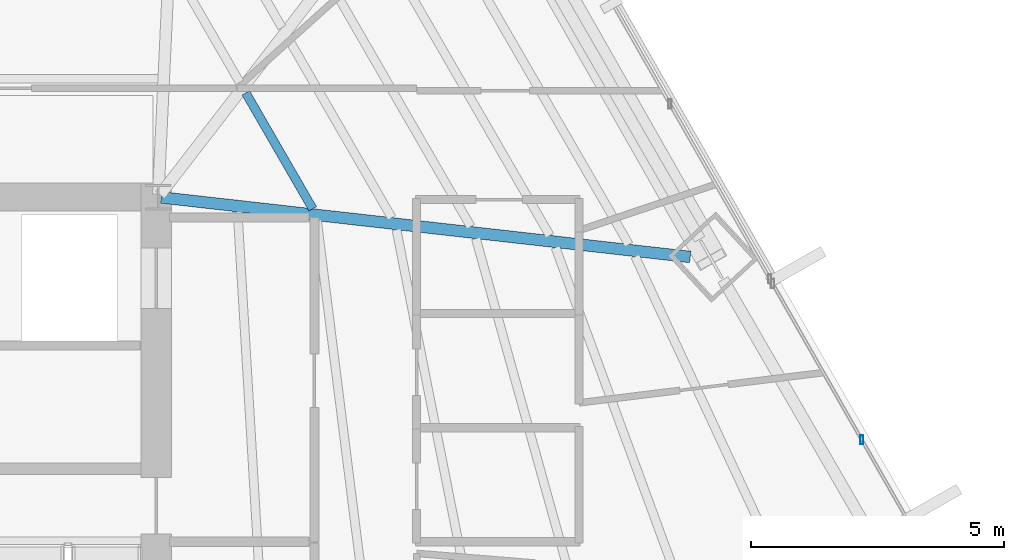
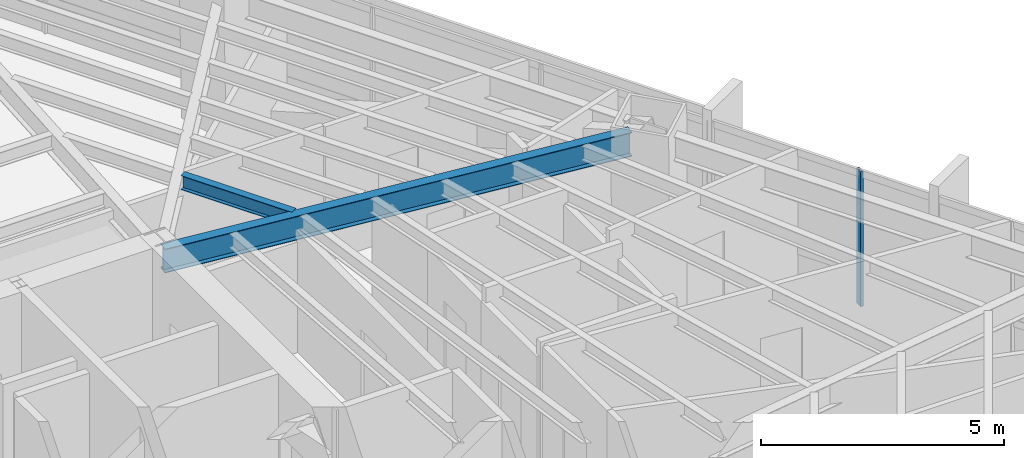
# One storey, part 22 of 38: 2 beams, 1 member, 1 element without a shape of its own.
"""IFC4 building model written with IfcOpenShell, lengths in metres."""

from ifc_helpers import new_model, si_unit, direction, frame, origin, origin_2d, place, context, subcontext, project, spatial, hollow_rectangle, i_section, extrude, source, transform, mapped, material, material_profile, profile_set, type_object, type_shapes, element, aggregate, save


model = new_model("IFC4")

# Units and contexts
model_context = context("Model", 3, precision=1e-05, world=origin(), true_north=direction((0.0, 1.0)))
body_context = subcontext(model_context, "Body", "Model", "MODEL_VIEW")
ifc_project = project(units=[si_unit("LENGTHUNIT", "METRE"), si_unit("AREAUNIT", "SQUARE_METRE"), si_unit("VOLUMEUNIT", "CUBIC_METRE"), si_unit("PLANEANGLEUNIT", "RADIAN"), si_unit("MASSUNIT", "GRAM", prefix="KILO")], contexts=[model_context])

# Site, building, storey
site_placement = place(None, origin())
site = spatial("IfcSite", under=ifc_project, at=site_placement, CompositionType="ELEMENT")
building_placement = place(site_placement, origin())
building = spatial("IfcBuilding", under=site, at=building_placement, Name="Caelisora Broadcast Tower", CompositionType="ELEMENT")
storey_placement = place(building_placement, frame((0.0, 0.0, 67.75)))
storey = spatial("IfcBuildingStorey", under=building, at=storey_placement, Name="L17", CompositionType="ELEMENT", Elevation=67.75)

# Beams
ifc_material_1 = material(Name="Steel Grade 350 (AS/NZS 3679.1)", Category="steel")
ifc_material_profile_1 = material_profile(ifc_material_1, i_section(OverallWidth=0.22802734375, OverallDepth=0.602294921875, WebThickness=0.010498046875, FlangeThickness=0.014892578125, at=origin_2d()), Name="Steel Grade 350 (AS/NZS 3679.1)")
ifc_profile_set_1 = profile_set([ifc_material_profile_1], Name="Steel Grade 350 (AS/NZS 3679.1)")
beam_type_1 = type_object("IfcBeamType", Name="PG04", PredefinedType="BEAM", material=ifc_profile_set_1)
shared_shape_1 = source(origin(), body_context, "Body", "SweptSolid", [
    extrude(i_section(OverallWidth=0.22802734375, OverallDepth=0.602294921875, WebThickness=0.010498046875, FlangeThickness=0.014892578125, at=origin_2d()), origin(), (0.0, 0.0, 1.0), 10.50244140625),
])
type_shapes(beam_type_1, [shared_shape_1])
beam_1_placement = place(storey_placement, frame((45.5595703125, 29.993408203125, 3.098876953125), z_axis=(0.993726537613, -0.111837240864, 0.0), x_axis=(0.111837240864, 0.993726537613, 0.0)))
element("IfcBeam", 1, at=beam_1_placement, inside=storey, type_object=beam_type_1, Name="L17 beam PG04", PredefinedType="BEAM", context=body_context, shape_type="MappedRepresentation", body=[
    mapped(shared_shape_1, transform((0.0, 0.0, 0.0), scale=1.0)),
])
ifc_material_profile_2 = material_profile(ifc_material_1, i_section(OverallWidth=0.172119140625, OverallDepth=0.358642578125, WebThickness=0.008056640625, FlangeThickness=0.012939453125, at=origin_2d()), Name="Steel Grade 350 (AS/NZS 3679.1)")
ifc_profile_set_2 = profile_set([ifc_material_profile_2], Name="Steel Grade 350 (AS/NZS 3679.1)")
beam_type_2 = type_object("IfcBeamType", Name="SB02", PredefinedType="JOIST", material=ifc_profile_set_2)
shared_shape_2 = source(origin(), body_context, "Body", "SweptSolid", [
    extrude(i_section(OverallWidth=0.172119140625, OverallDepth=0.358642578125, WebThickness=0.008056640625, FlangeThickness=0.012939453125, at=origin_2d()), origin(), (0.0, 0.0, 1.0), 2.640380859375),
])
type_shapes(beam_type_2, [shared_shape_2])
beam_2_placement = place(storey_placement, frame((48.548828125, 29.769287109375, 3.220703125), z_axis=(-0.50003726508, 0.866003887711, 0.0), x_axis=(-0.866003887711, -0.50003726508, 0.0)))
element("IfcBeam", 2, at=beam_2_placement, inside=storey, type_object=beam_type_2, Name="L17 beam SB02", PredefinedType="JOIST", context=body_context, shape_type="MappedRepresentation", body=[
    mapped(shared_shape_2, transform((0.0, 0.0, 0.0), scale=1.0)),
])

# Curtain wall, member
ifc_material_2 = material(Name="Unitised Aluminium and Low-E Glass Curtain Wall", Category="glass")
curtain_wall_type = type_object("IfcCurtainWallType", Name="CW-Z1", PredefinedType="NOTDEFINED", material=ifc_material_2)
curtain_wall_placement = place(storey_placement, origin())
curtain_wall = element("IfcCurtainWall", 3, at=curtain_wall_placement, inside=storey, type_object=curtain_wall_type, Name="L17 curtain wall CW-Z1", PredefinedType="NOTDEFINED")
ifc_material_3 = material(Name="Aluminium 6063-T6 Anodised Terracotta Bronze", Category="aluminium")
ifc_material_profile_3 = material_profile(ifc_material_3, hollow_rectangle(XDim=0.06494140625, YDim=0.179931640625, WallThickness=0.00341796875, at=origin_2d()), Name="Aluminium 6063-T6 Anodised Terracotta Bronze")
ifc_profile_set_3 = profile_set([ifc_material_profile_3], Name="Aluminium 6063-T6 Anodised Terracotta Bronze")
member_type = type_object("IfcMemberType", Name="CWM-02", PredefinedType="MULLION", material=ifc_profile_set_3)
shared_shape_3 = source(origin(), body_context, "Body", "SweptSolid", [
    extrude(hollow_rectangle(XDim=0.06494140625, YDim=0.179931640625, WallThickness=0.00341796875, at=origin_2d()), origin(), (0.0, 0.0, 1.0), 3.39990234375),
])
type_shapes(member_type, [shared_shape_3])
member_placement = place(storey_placement, frame((59.381591796875, 25.211669921875, 0.0), z_axis=(0.0, 0.0, 1.0), x_axis=(1.0, 0.0, 0.0)))
member = element("IfcMember", 4, at=member_placement, type_object=member_type, Name="L17-CW-B03 mullion #1", PredefinedType="MULLION", context=body_context, shape_type="MappedRepresentation", body=[
    mapped(shared_shape_3, transform((0.0, 0.0, 0.0), scale=1.0)),
])
aggregate(curtain_wall, [member])

save(model, "model.ifc")
